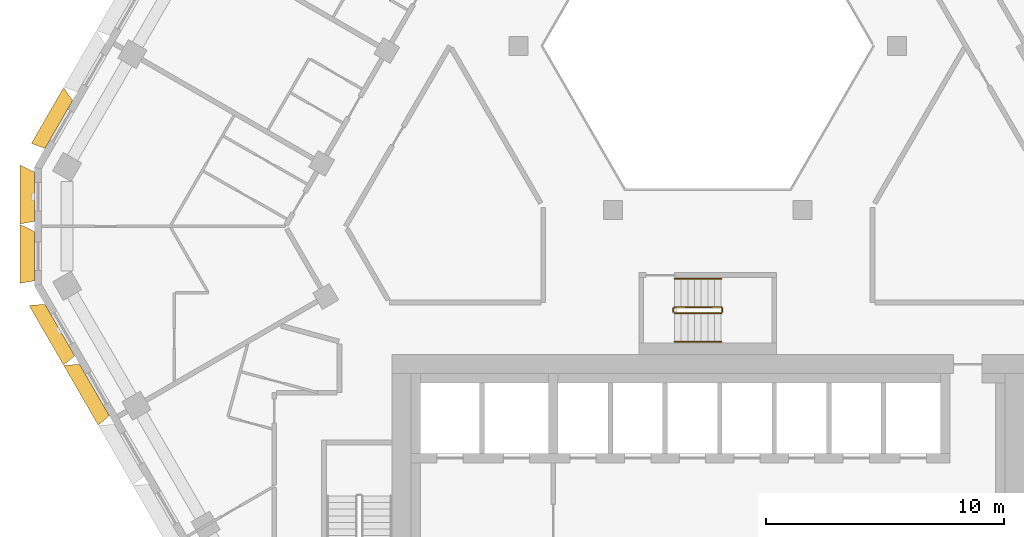
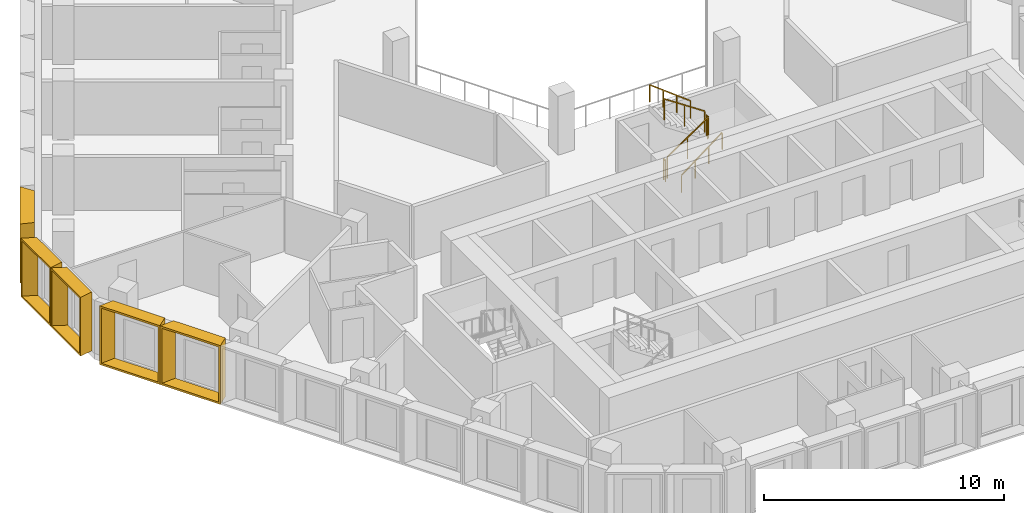
# One storey, part 15 of 17: 6 railings, 5 shading devices.
"""IFC4 building model written with IfcOpenShell, lengths in metres."""

from ifc_helpers import new_model, entity, si_unit, direction, frame, origin, origin_2d, place, context, subcontext, project, spatial, rectangle, extrude, source, transform, mapped, material, type_object, type_shapes, element, save


model = new_model("IFC4")

# Units and contexts
model_context = context("Model", 3, precision=1e-05, world=origin(), true_north=direction((0.0, 1.0)))
body_context = subcontext(model_context, "Body", "Model", "MODEL_VIEW")
ifc_project = project(units=[si_unit("LENGTHUNIT", "METRE"), si_unit("AREAUNIT", "SQUARE_METRE"), si_unit("VOLUMEUNIT", "CUBIC_METRE"), si_unit("PLANEANGLEUNIT", "RADIAN"), si_unit("MASSUNIT", "GRAM", prefix="KILO")], contexts=[model_context])

# Site, building, storey
site_placement = place(None, origin())
site = spatial("IfcSite", under=ifc_project, at=site_placement, CompositionType="ELEMENT")
building_placement = place(site_placement, origin())
building = spatial("IfcBuilding", under=site, at=building_placement, Name="Beryl Residences", CompositionType="ELEMENT")
storey_placement = place(building_placement, frame((0.0, 0.0, 120.60009765625)))
storey = spatial("IfcBuildingStorey", under=building, at=storey_placement, Name="L36", CompositionType="ELEMENT", Elevation=120.60009765625)

# Shading devices
ifc_material_1 = material(Name="Aluminium pale anodised", Category="aluminium")
shading_device_type_1 = type_object("IfcShadingDeviceType", Name="FR250-60B OUTER SKIN frame 600 mm deep, splay 26/10 deg, 2500 x 3000 mm cell", PredefinedType="USERDEFINED", material=ifc_material_1)
cartesian_point_1 = entity("IfcCartesianPoint", [-1.04052734375, 0.0])
cartesian_point_2 = entity("IfcCartesianPoint", [-0.951416015625, 0.10009765625])
cartesian_point_3 = entity("IfcCartesianPoint", [-1.333251953125, 0.0])
cartesian_point_4 = entity("IfcCartesianPoint", [-1.244140625, 0.10009765625])
shared_shape_1 = source(origin(), body_context, "Body", "SweptSolid", [
    entity("IfcExtrudedAreaSolidTapered", entity("IfcArbitraryProfileDefWithVoids", "AREA", None, entity("IfcPolyline", [cartesian_point_1, entity("IfcCartesianPoint", [1.04052734375, 0.0]), entity("IfcCartesianPoint", [1.04052734375, 3.0]), entity("IfcCartesianPoint", [-1.04052734375, 3.0]), cartesian_point_1]), [entity("IfcPolyline", [cartesian_point_2, entity("IfcCartesianPoint", [0.959228515625, 0.10009765625]), entity("IfcCartesianPoint", [0.959228515625, 2.89990234375]), entity("IfcCartesianPoint", [-0.951416015625, 2.89990234375]), cartesian_point_2])]), entity("IfcAxis2Placement3D", entity("IfcCartesianPoint", [0.0, 0.0, 0.0]), entity("IfcDirection", [0.0, 1.0, 0.0]), entity("IfcDirection", [-1.0, 0.0, 0.0])), entity("IfcDirection", [0.0, 0.0, 1.0]), 0.60009765625, entity("IfcArbitraryProfileDefWithVoids", "AREA", None, entity("IfcPolyline", [cartesian_point_3, entity("IfcCartesianPoint", [1.146240234375, 0.0]), entity("IfcCartesianPoint", [1.146240234375, 3.0]), entity("IfcCartesianPoint", [-1.333251953125, 3.0]), cartesian_point_3]), [entity("IfcPolyline", [cartesian_point_4, entity("IfcCartesianPoint", [1.06494140625, 0.10009765625]), entity("IfcCartesianPoint", [1.06494140625, 2.89990234375]), entity("IfcCartesianPoint", [-1.244140625, 2.89990234375]), cartesian_point_4])])),
])
type_shapes(shading_device_type_1, [shared_shape_1])
for number, where, z_axis, x_axis, name in (
    (1, (-28.347900390625, 1.64990234375, 0.0), (0.0, 0.0, 1.0), (0.0, 1.0, 0.0), "FR250-60B frame L36 NW-SW 1"),
    (2, (-28.347900390625, -0.85009765625, 0.0), (0.0, 0.0, 1.0), (0.0, 1.0, 0.0), "FR250-60B frame L36 NW-SW 2"),
):
    element("IfcShadingDevice", number, at=place(storey_placement, frame(where, z_axis=z_axis, x_axis=x_axis)), inside=storey, type_object=shading_device_type_1, Name=name, ObjectType="OUTER SKIN", PredefinedType="USERDEFINED", context=body_context, shape_type="MappedRepresentation", body=[
        mapped(shared_shape_1, transform((0.0, 0.0, 0.0))),
    ])
ifc_material_2 = material(Name="Aluminium pale anodised", Category="aluminium")
shading_device_type_2 = type_object("IfcShadingDeviceType", Name="FR274-60B OUTER SKIN frame 600 mm deep, splay 26/10 deg, 2740 x 3000 mm cell", PredefinedType="USERDEFINED", material=ifc_material_2)
cartesian_point_5 = entity("IfcCartesianPoint", [-1.160400390625, 0.0])
cartesian_point_6 = entity("IfcCartesianPoint", [-1.071533203125, 0.10009765625])
cartesian_point_7 = entity("IfcCartesianPoint", [-1.453125, 0.0])
cartesian_point_8 = entity("IfcCartesianPoint", [-1.364013671875, 0.10009765625])
shared_shape_2 = source(origin(), body_context, "Body", "SweptSolid", [
    entity("IfcExtrudedAreaSolidTapered", entity("IfcArbitraryProfileDefWithVoids", "AREA", None, entity("IfcPolyline", [cartesian_point_5, entity("IfcCartesianPoint", [1.160400390625, 0.0]), entity("IfcCartesianPoint", [1.160400390625, 3.0]), entity("IfcCartesianPoint", [-1.160400390625, 3.0]), cartesian_point_5]), [entity("IfcPolyline", [cartesian_point_6, entity("IfcCartesianPoint", [1.079345703125, 0.10009765625]), entity("IfcCartesianPoint", [1.079345703125, 2.89990234375]), entity("IfcCartesianPoint", [-1.071533203125, 2.89990234375]), cartesian_point_6])]), entity("IfcAxis2Placement3D", entity("IfcCartesianPoint", [0.0, 0.0, 0.0]), entity("IfcDirection", [0.0, 1.0, 0.0]), entity("IfcDirection", [-1.0, 0.0, 0.0])), entity("IfcDirection", [0.0, 0.0, 1.0]), 0.60009765625, entity("IfcArbitraryProfileDefWithVoids", "AREA", None, entity("IfcPolyline", [cartesian_point_7, entity("IfcCartesianPoint", [1.266357421875, 0.0]), entity("IfcCartesianPoint", [1.266357421875, 3.0]), entity("IfcCartesianPoint", [-1.453125, 3.0]), cartesian_point_7]), [entity("IfcPolyline", [cartesian_point_8, entity("IfcCartesianPoint", [1.18505859375, 0.10009765625]), entity("IfcCartesianPoint", [1.18505859375, 2.89990234375]), entity("IfcCartesianPoint", [-1.364013671875, 2.89990234375]), cartesian_point_8])])),
])
type_shapes(shading_device_type_2, [shared_shape_2])
shading_device_placement = place(storey_placement, frame((-27.31591796875, 4.68701171875, 0.0), z_axis=(0.0, 0.0, 1.0), x_axis=(0.5, 0.866025403784, 0.0)))
element("IfcShadingDevice", 3, at=shading_device_placement, inside=storey, type_object=shading_device_type_2, Name="FR274-60B frame L36 NW 8", ObjectType="OUTER SKIN", PredefinedType="USERDEFINED", context=body_context, shape_type="MappedRepresentation", body=[
    mapped(shared_shape_2, transform((0.0, 0.0, 0.0))),
])
ifc_material_3 = material(Name="Aluminium pale anodised", Category="aluminium")
shading_device_type_3 = type_object("IfcShadingDeviceType", Name="FR292-60B OUTER SKIN frame 600 mm deep, splay 26/10 deg, 2920 x 3000 mm cell", PredefinedType="USERDEFINED", material=ifc_material_3)
cartesian_point_9 = entity("IfcCartesianPoint", [-1.25048828125, 0.0])
cartesian_point_10 = entity("IfcCartesianPoint", [-1.161376953125, 0.10009765625])
cartesian_point_11 = entity("IfcCartesianPoint", [-1.543212890625, 0.0])
cartesian_point_12 = entity("IfcCartesianPoint", [-1.4541015625, 0.10009765625])
shared_shape_3 = source(origin(), body_context, "Body", "SweptSolid", [
    entity("IfcExtrudedAreaSolidTapered", entity("IfcArbitraryProfileDefWithVoids", "AREA", None, entity("IfcPolyline", [cartesian_point_9, entity("IfcCartesianPoint", [1.25048828125, 0.0]), entity("IfcCartesianPoint", [1.25048828125, 3.0]), entity("IfcCartesianPoint", [-1.25048828125, 3.0]), cartesian_point_9]), [entity("IfcPolyline", [cartesian_point_10, entity("IfcCartesianPoint", [1.169189453125, 0.10009765625]), entity("IfcCartesianPoint", [1.169189453125, 2.89990234375]), entity("IfcCartesianPoint", [-1.161376953125, 2.89990234375]), cartesian_point_10])]), entity("IfcAxis2Placement3D", entity("IfcCartesianPoint", [0.0, 0.0, 0.0]), entity("IfcDirection", [0.0, 1.0, 0.0]), entity("IfcDirection", [-1.0, 0.0, 0.0])), entity("IfcDirection", [0.0, 0.0, 1.0]), 0.60009765625, entity("IfcArbitraryProfileDefWithVoids", "AREA", None, entity("IfcPolyline", [cartesian_point_11, entity("IfcCartesianPoint", [1.356201171875, 0.0]), entity("IfcCartesianPoint", [1.356201171875, 3.0]), entity("IfcCartesianPoint", [-1.543212890625, 3.0]), cartesian_point_11]), [entity("IfcPolyline", [cartesian_point_12, entity("IfcCartesianPoint", [1.275146484375, 0.10009765625]), entity("IfcCartesianPoint", [1.275146484375, 2.89990234375]), entity("IfcCartesianPoint", [-1.4541015625, 2.89990234375]), cartesian_point_12])])),
])
type_shapes(shading_device_type_3, [shared_shape_3])
for number, where, z_axis, x_axis, name in (
    (4, (-27.27294921875, -3.9619140625, 0.0), (0.0, 0.0, 1.0), (-0.5, 0.866025403784, 0.0), "FR292-60B frame L36 SW 1"),
    (5, (-25.81494140625, -6.487060546875, 0.0), (0.0, 0.0, 1.0), (-0.5, 0.866025403784, 0.0), "FR292-60B frame L36 SW 2"),
):
    element("IfcShadingDevice", number, at=place(storey_placement, frame(where, z_axis=z_axis, x_axis=x_axis)), inside=storey, type_object=shading_device_type_3, Name=name, ObjectType="OUTER SKIN", PredefinedType="USERDEFINED", context=body_context, shape_type="MappedRepresentation", body=[
        mapped(shared_shape_3, transform((0.0, 0.0, 0.0))),
    ])

# Railings
ifc_material_4 = material(Name="Stainless steel balustrade with glass infill", Category="steel")
railing_type_1 = type_object("IfcRailingType", Name="SG1 stair guard 1100 mm", PredefinedType="GUARDRAIL", material=ifc_material_4)
railing_1_placement = place(storey_placement, frame((-1.39990234375, -3.25, 0.1875)))
element("IfcRailing", 6, at=railing_1_placement, inside=storey, type_object=railing_type_1, Name="L36 ST-4 stair guard 1", PredefinedType="GUARDRAIL", context=body_context, shape_type="SweptSolid", body=[
    extrude(rectangle(XDim=0.048095703125, YDim=0.048095703125, at=origin_2d()), frame((0.0, 0.0, 1.076171875), z_axis=(0.830902050051, 0.0, 0.556418712142), x_axis=(0.0, 1.0, 0.0)), (0.0, 0.0, 1.0), 2.35888671875),
    extrude(rectangle(XDim=0.0419921875, YDim=0.0419921875, at=origin_2d()), origin(), (0.0, 0.0, 1.0), 1.052001953125),
    extrude(rectangle(XDim=0.0419921875, YDim=0.0419921875, at=origin_2d()), frame((0.97998046875, 0.0, 0.65625)), (0.0, 0.0, 1.0), 1.052001953125),
    extrude(rectangle(XDim=0.0419921875, YDim=0.0419921875, at=origin_2d()), frame((1.9599609375, 0.0, 1.3125)), (0.0, 0.0, 1.0), 1.052001953125),
])
railing_2_placement = place(storey_placement, frame((0.610107421875, -3.199951171875, 1.5)))
element("IfcRailing", 7, at=railing_2_placement, inside=storey, type_object=railing_type_1, Name="L36 ST-4 stair guard 2", PredefinedType="GUARDRAIL", context=body_context, shape_type="SweptSolid", body=[
    extrude(rectangle(XDim=0.048095703125, YDim=0.048095703125, at=origin_2d()), frame((0.0, 0.0, 1.076171875), z_axis=(0.0, 1.0, 0.0), x_axis=(-1.0, 0.0, 0.0)), (0.0, 0.0, 1.0), 0.14990234375),
    extrude(rectangle(XDim=0.0419921875, YDim=0.0419921875, at=origin_2d()), origin(), (0.0, 0.0, 1.0), 1.052001953125),
    extrude(rectangle(XDim=0.0419921875, YDim=0.0419921875, at=origin_2d()), frame((0.0, 0.14990234375, 0.0)), (0.0, 0.0, 1.0), 1.052001953125),
])
railing_3_placement = place(storey_placement, frame((0.56005859375, -3.0, 1.6875)))
element("IfcRailing", 8, at=railing_3_placement, inside=storey, type_object=railing_type_1, Name="L36 ST-4 stair guard 3", PredefinedType="GUARDRAIL", context=body_context, shape_type="SweptSolid", body=[
    extrude(rectangle(XDim=0.048095703125, YDim=0.048095703125, at=origin_2d()), frame((0.0, 0.0, 1.076171875), z_axis=(-0.830902050051, 0.0, 0.556418712142), x_axis=(0.0, -1.0, 0.0)), (0.0, 0.0, 1.0), 2.35888671875),
    extrude(rectangle(XDim=0.0419921875, YDim=0.0419921875, at=origin_2d()), origin(), (0.0, 0.0, 1.0), 1.052001953125),
    extrude(rectangle(XDim=0.0419921875, YDim=0.0419921875, at=origin_2d()), frame((-0.97998046875, 0.0, 0.65625)), (0.0, 0.0, 1.0), 1.052001953125),
    extrude(rectangle(XDim=0.0419921875, YDim=0.0419921875, at=origin_2d()), frame((-1.9599609375, 0.0, 1.3125)), (0.0, 0.0, 1.0), 1.052001953125),
])
railing_4_placement = place(storey_placement, frame((-1.449951171875, -3.199951171875, 0.0)))
element("IfcRailing", 9, at=railing_4_placement, inside=storey, type_object=railing_type_1, Name="L36 ST-4 stair guard 4", PredefinedType="GUARDRAIL", context=body_context, shape_type="SweptSolid", body=[
    extrude(rectangle(XDim=0.048095703125, YDim=0.048095703125, at=origin_2d()), frame((0.0, 0.0, 1.076171875), z_axis=(0.0, 1.0, 0.0), x_axis=(-1.0, 0.0, 0.0)), (0.0, 0.0, 1.0), 0.14990234375),
    extrude(rectangle(XDim=0.0419921875, YDim=0.0419921875, at=origin_2d()), origin(), (0.0, 0.0, 1.0), 1.052001953125),
    extrude(rectangle(XDim=0.0419921875, YDim=0.0419921875, at=origin_2d()), frame((0.0, 0.14990234375, 0.0)), (0.0, 0.0, 1.0), 1.052001953125),
])
ifc_material_5 = material(Name="Stainless steel handrail", Category="steel")
railing_type_2 = type_object("IfcRailingType", Name="SRL1 stair handrail 900 mm", PredefinedType="HANDRAIL", material=ifc_material_5)
railing_5_placement = place(storey_placement, frame((-1.39990234375, -4.449951171875, 0.1875)))
element("IfcRailing", 10, at=railing_5_placement, inside=storey, type_object=railing_type_2, Name="L36 ST-4 stair handrail 1", PredefinedType="HANDRAIL", context=body_context, shape_type="SweptSolid", body=[
    extrude(rectangle(XDim=0.048095703125, YDim=0.048095703125, at=origin_2d()), frame((0.0, 0.0, 0.8759765625), z_axis=(0.794121922505, 0.0, 0.607758481798), x_axis=(0.0, 1.0, 0.0)), (0.0, 0.0, 1.0), 2.468017578125),
    extrude(rectangle(XDim=0.0419921875, YDim=0.0419921875, at=origin_2d()), origin(), (0.0, 0.0, 1.0), 0.851806640625),
    extrude(rectangle(XDim=0.0419921875, YDim=0.0419921875, at=origin_2d()), frame((0.6533203125, 0.0, 0.5)), (0.0, 0.0, 1.0), 0.851806640625),
    extrude(rectangle(XDim=0.0419921875, YDim=0.0419921875, at=origin_2d()), frame((1.306640625, 0.0, 1.0)), (0.0, 0.0, 1.0), 0.851806640625),
    extrude(rectangle(XDim=0.0419921875, YDim=0.0419921875, at=origin_2d()), frame((1.9599609375, 0.0, 1.5)), (0.0, 0.0, 1.0), 0.851806640625),
])
railing_6_placement = place(storey_placement, frame((0.56005859375, -1.800048828125, 1.6875)))
element("IfcRailing", 11, at=railing_6_placement, inside=storey, type_object=railing_type_2, Name="L36 ST-4 stair handrail 2", PredefinedType="HANDRAIL", context=body_context, shape_type="SweptSolid", body=[
    extrude(rectangle(XDim=0.048095703125, YDim=0.048095703125, at=origin_2d()), frame((0.0, 0.0, 0.8759765625), z_axis=(-0.794121922505, 0.0, 0.607758481798), x_axis=(0.0, -1.0, 0.0)), (0.0, 0.0, 1.0), 2.468017578125),
    extrude(rectangle(XDim=0.0419921875, YDim=0.0419921875, at=origin_2d()), origin(), (0.0, 0.0, 1.0), 0.851806640625),
    extrude(rectangle(XDim=0.0419921875, YDim=0.0419921875, at=origin_2d()), frame((-0.6533203125, 0.0, 0.5)), (0.0, 0.0, 1.0), 0.851806640625),
    extrude(rectangle(XDim=0.0419921875, YDim=0.0419921875, at=origin_2d()), frame((-1.306640625, 0.0, 1.0)), (0.0, 0.0, 1.0), 0.851806640625),
    extrude(rectangle(XDim=0.0419921875, YDim=0.0419921875, at=origin_2d()), frame((-1.9599609375, 0.0, 1.5)), (0.0, 0.0, 1.0), 0.851806640625),
])

save(model, "model.ifc")
